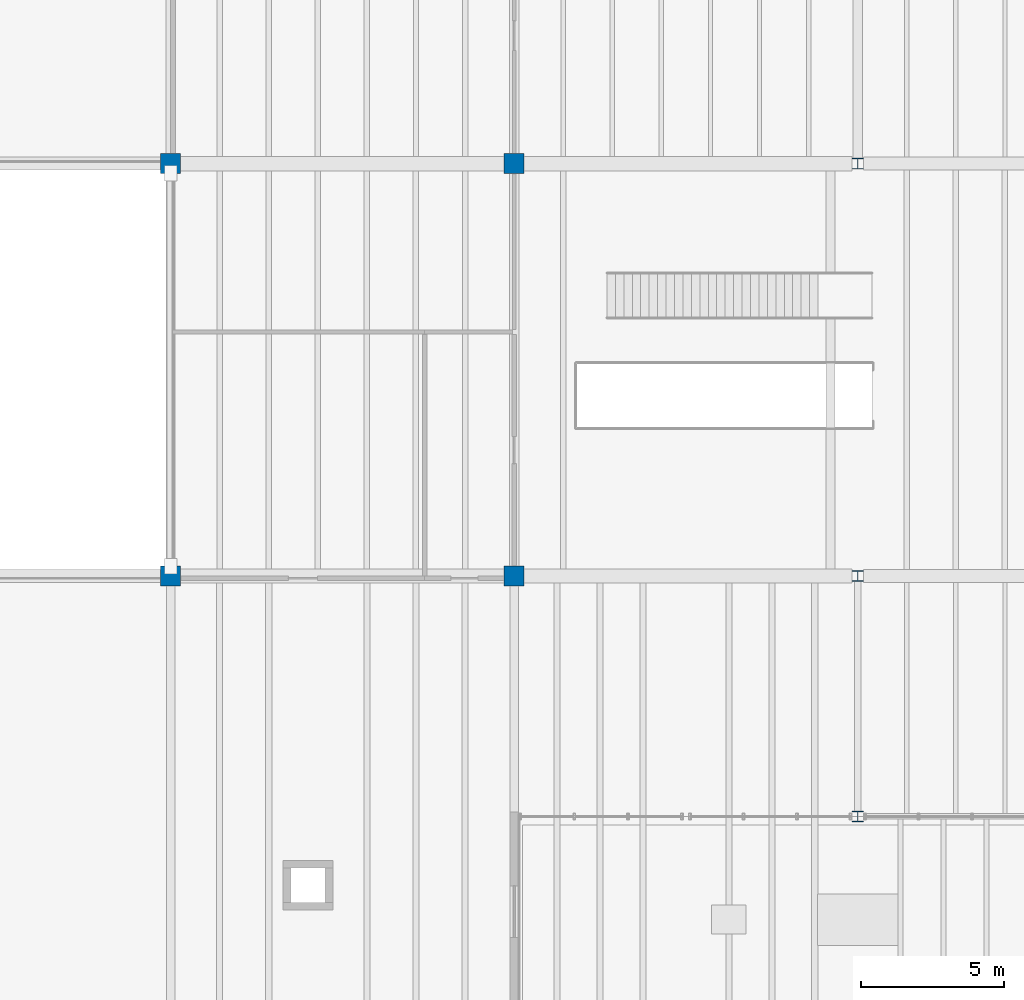
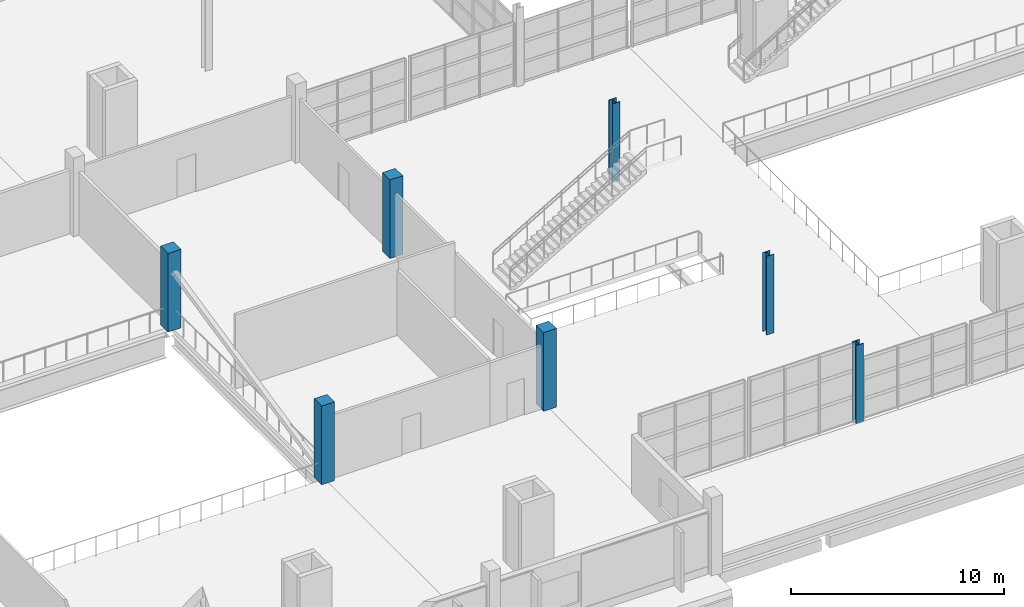
# One storey, part 2 of 114: 7 columns.
"""IFC4 building model written with IfcOpenShell, lengths in metres."""

from ifc_helpers import new_model, si_unit, direction, frame, origin, origin_2d, place, context, subcontext, project, spatial, rectangle, i_section, extrude, material, material_profile, profile_set, type_object, element, save


model = new_model("IFC4")

# Units and contexts
model_context = context("Model", 3, precision=1e-05, world=origin(), true_north=direction((0.0, 1.0)))
body_context = subcontext(model_context, "Body", "Model", "MODEL_VIEW")
ifc_project = project(units=[si_unit("LENGTHUNIT", "METRE"), si_unit("AREAUNIT", "SQUARE_METRE"), si_unit("VOLUMEUNIT", "CUBIC_METRE"), si_unit("PLANEANGLEUNIT", "RADIAN"), si_unit("MASSUNIT", "GRAM", prefix="KILO")], contexts=[model_context])

# Site, building, storey
site_placement = place(None, origin())
site = spatial("IfcSite", under=ifc_project, at=site_placement, CompositionType="ELEMENT")
building_placement = place(site_placement, origin())
building = spatial("IfcBuilding", under=site, at=building_placement, Name="Kelmvaro Bay Concert Hall", CompositionType="ELEMENT")
storey_placement = place(building_placement, frame((0.0, 0.0, 4.800048828125)))
storey = spatial("IfcBuildingStorey", under=building, at=storey_placement, Name="L01", CompositionType="ELEMENT", Elevation=4.800048828125)

# Columns
ifc_material_1 = material(Name="Steel ASTM A992 Grade 50", Category="steel")
ifc_material_profile_1 = material_profile(ifc_material_1, i_section(OverallWidth=0.39892578125, OverallDepth=0.385986328125, WebThickness=0.02099609375, FlangeThickness=0.033203125, at=origin_2d()), Name="W14X176")
ifc_profile_set_1 = profile_set([ifc_material_profile_1], Name="Steel ASTM A992 Grade 50")
column_type_1 = type_object("IfcColumnType", Name="Foyer Heavy Column W14x176", PredefinedType="COLUMN", material=ifc_profile_set_1)
for number, where, z_axis, x_axis, name in (
    (1, (60.0, 7.199951171875, 0.0), (0.0, 0.0, 1.0), (1.0, 0.0, 0.0), "L01 Column V5S-60-72"),
    (2, (60.0, 15.60009765625, 0.0), (0.0, 0.0, 1.0), (1.0, 0.0, 0.0), "L01 Column V5S-60-156"),
    (3, (60.0, 30.0, 0.0), (0.0, 0.0, 1.0), (1.0, 0.0, 0.0), "L01 Column V5S-60-300"),
):
    element("IfcColumn", number, at=place(storey_placement, frame(where, z_axis=z_axis, x_axis=x_axis)), inside=storey, type_object=column_type_1, Name=name, PredefinedType="COLUMN", context=body_context, shape_type="SweptSolid", body=[
        extrude(i_section(OverallWidth=0.39892578125, OverallDepth=0.385986328125, WebThickness=0.02099609375, FlangeThickness=0.033203125, at=origin_2d()), origin(), (0.0, 0.0, 1.0), 4.5),
    ])
ifc_material_2 = material(Name="Concrete C40/50", Category="concrete")
ifc_material_profile_2 = material_profile(ifc_material_2, rectangle(XDim=0.699951171875, YDim=0.699951171875, at=origin_2d()), Name="RC-COL-700X700")
ifc_profile_set_2 = profile_set([ifc_material_profile_2], Name="Concrete C40/50")
column_type_2 = type_object("IfcColumnType", Name="Pavilion Mid Column RC700x700", PredefinedType="COLUMN", material=ifc_profile_set_2)
for number, where, z_axis, x_axis, name in (
    (4, (36.0, 15.60009765625, 0.0), (0.0, 0.0, 1.0), (1.0, 0.0, 0.0), "L01 Column V3G-36-156"),
    (5, (36.0, 30.0, 0.0), (0.0, 0.0, 1.0), (1.0, 0.0, 0.0), "L01 Column V3G-36-300"),
    (6, (48.0, 15.60009765625, 0.0), (0.0, 0.0, 1.0), (1.0, 0.0, 0.0), "L01 Column V3G-48-156"),
    (7, (48.0, 30.0, 0.0), (0.0, 0.0, 1.0), (1.0, 0.0, 0.0), "L01 Column V3G-48-300"),
):
    element("IfcColumn", number, at=place(storey_placement, frame(where, z_axis=z_axis, x_axis=x_axis)), inside=storey, type_object=column_type_2, Name=name, PredefinedType="COLUMN", context=body_context, shape_type="SweptSolid", body=[
        extrude(rectangle(XDim=0.699951171875, YDim=0.699951171875, at=origin_2d()), origin(), (0.0, 0.0, 1.0), 4.5),
    ])

save(model, "model.ifc")
